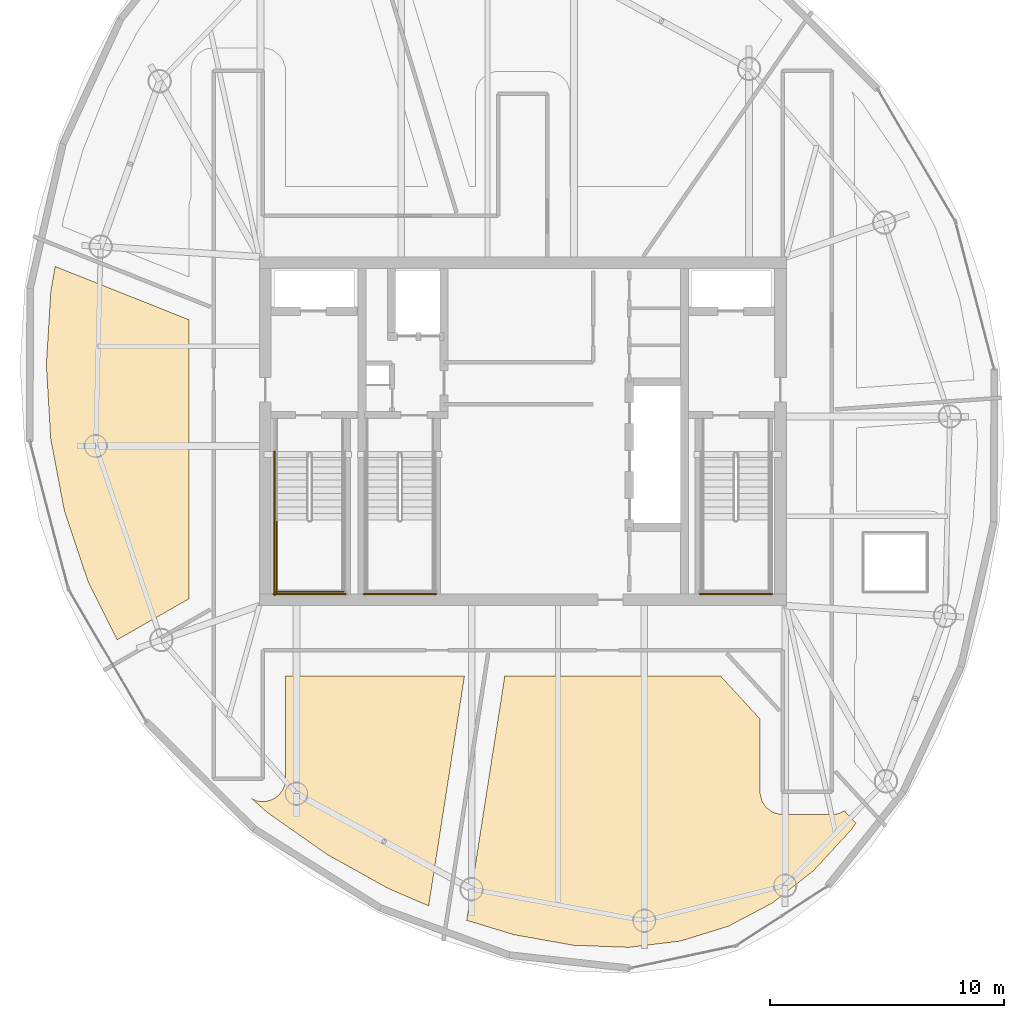
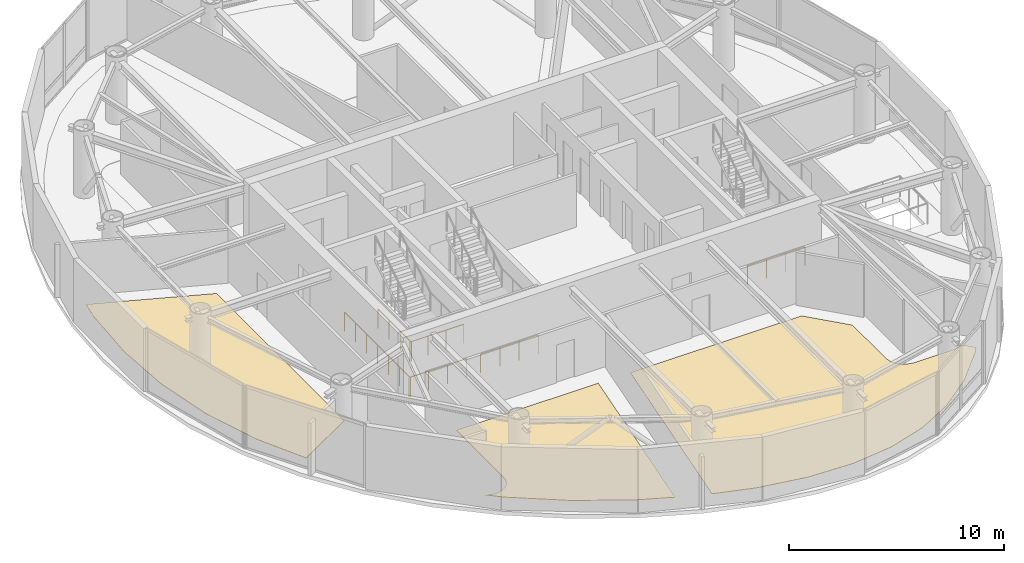
# One storey, part 18 of 20: 6 railings, 3 coverings.
"""IFC4 building model written with IfcOpenShell, lengths in metres."""

from ifc_helpers import new_model, si_unit, direction, frame, origin, origin_2d, place, context, subcontext, project, spatial, polyline, circle, outline, extrude, material, layer, layer_set, type_object, element, save


model = new_model("IFC4")

# Units and contexts
model_context = context("Model", 3, precision=1e-05, world=origin(), true_north=direction((0.0, 1.0)))
body_context = subcontext(model_context, "Body", "Model", "MODEL_VIEW")
ifc_project = project(units=[si_unit("LENGTHUNIT", "METRE"), si_unit("AREAUNIT", "SQUARE_METRE"), si_unit("VOLUMEUNIT", "CUBIC_METRE"), si_unit("PLANEANGLEUNIT", "RADIAN"), si_unit("MASSUNIT", "GRAM", prefix="KILO")], contexts=[model_context])

# Site, building, storey
site_placement = place(None, origin())
site = spatial("IfcSite", under=ifc_project, at=site_placement, CompositionType="ELEMENT")
building_placement = place(site_placement, origin())
building = spatial("IfcBuilding", under=site, at=building_placement, Name="Bramvorn Convention Spire", CompositionType="ELEMENT")
storey_placement = place(building_placement, frame((0.0, 0.0, 303.64990234375)))
storey = spatial("IfcBuildingStorey", under=building, at=storey_placement, Name="L77", CompositionType="ELEMENT", Elevation=303.64990234375)

# Coverings
ifc_material_1 = material(Name="Honed Dolomitic Limestone Terrazzo Flooring", Category="masonry")
ifc_layer = layer(ifc_material_1, 0.02490234375)
ifc_layer_set = layer_set([ifc_layer], Name="Honed Dolomitic Limestone Terrazzo Flooring - FLR-TERRAZZO-25")
covering_type = type_object("IfcCoveringType", Name="FLR-TERRAZZO-25", PredefinedType="FLOORING", material=ifc_layer_set)
covering_1_placement = place(storey_placement, origin())
element("IfcCovering", 1, at=covering_1_placement, inside=storey, type_object=covering_type, Name="L77 Exhibition Main Kitchen 4 raised floor finish", PredefinedType="FLOORING", context=body_context, shape_type="SweptSolid", body=[
    extrude(outline(polyline([(20.681396484375, 17.094482421875), (23.75, 18.845947265625), (23.75, 30.760009765625), (18.03173828125, 33.037109375), (17.848876953125, 31.984130859375), (17.656494140625, 28.831787109375), (17.84326171875, 25.6728515625), (18.43310546875, 22.572998046875), (19.435302734375, 19.5908203125), (20.681396484375, 17.094482421875)])), origin(), (0.0, 0.0, 1.0), 0.025146484375),
])
covering_2_placement = place(storey_placement, origin())
element("IfcCovering", 2, at=covering_2_placement, inside=storey, type_object=covering_type, Name="L77 Sommelier Wine Cellar Store 5 raised floor finish", PredefinedType="FLOORING", context=body_context, shape_type="SweptSolid", body=[
    extrude(outline(polyline([(27.09423828125, 9.718505859375), (29.649169921875, 7.926513671875), (32.308349609375, 6.449951171875), (33.98193359375, 5.7353515625), (35.51123046875, 15.550048828125), (27.8701171875, 15.550048828125), (27.8701171875, 11.156494140625), (27.83837890625, 10.91162109375), (27.771240234375, 10.73046875), (27.614990234375, 10.50146484375), (27.46142578125, 10.36572265625), (27.293701171875, 10.270263671875), (27.026611328125, 10.195068359375), (26.833740234375, 10.18896484375), (26.6318359375, 10.224609375), (26.41455078125, 10.318115234375), (27.09423828125, 9.718505859375)])), origin(), (0.0, 0.0, 1.0), 0.025146484375),
])
covering_3_placement = place(storey_placement, origin())
element("IfcCovering", 3, at=covering_3_placement, inside=storey, type_object=covering_type, Name="L77 Private Event Meeting Suite 6 raised floor finish", PredefinedType="FLOORING", context=body_context, shape_type="SweptSolid", body=[
    extrude(outline(polyline([(37.62548828125, 4.50244140625), (40.15185546875, 4.052978515625), (42.529052734375, 3.962158203125), (44.73681640625, 4.231689453125), (46.776611328125, 4.86328125), (48.663818359375, 5.862548828125), (50.413330078125, 7.236083984375), (52.02685546875, 8.98388671875), (52.220703125, 9.262939453125), (51.73486328125, 9.7919921875), (51.521240234375, 9.684814453125), (51.25341796875, 9.631591796875), (49.058349609375, 9.631103515625), (48.690673828125, 9.720703125), (48.38525390625, 9.9443359375), (48.220703125, 10.190673828125), (48.131591796875, 10.54638671875), (48.1298828125, 13.71630859375), (46.4453125, 15.550048828125), (37.231689453125, 15.550048828125), (35.606201171875, 5.1171875), (37.62548828125, 4.50244140625)])), origin(), (0.0, 0.0, 1.0), 0.025146484375),
])

# Railings
ifc_material_2 = material(Name="Painted Steel Balustrade & Guardrail", Category="steel")
railing_type = type_object("IfcRailingType", Name="RL-STAIR-GUARD-1100", PredefinedType="GUARDRAIL", material=ifc_material_2)
railing_1_placement = place(storey_placement, frame((27.5, 22.199951171875, 1.925048828125)))
element("IfcRailing", 4, at=railing_1_placement, inside=storey, type_object=railing_type, Name="L77 ST1 stair guard 3", PredefinedType="GUARDRAIL", context=body_context, shape_type="SweptSolid", body=[
    extrude(circle(Radius=0.02392578125, at=origin_2d()), frame((0.0, 0.0, 1.076171875), z_axis=(0.0, -1.0, 0.0), x_axis=(1.0, 0.0, 0.0)), (0.0, 0.0, 1.0), 3.099853515625),
    extrude(circle(Radius=0.02099609375, at=origin_2d()), origin(), (0.0, 0.0, 1.0), 1.052001953125),
    extrude(circle(Radius=0.02099609375, at=origin_2d()), frame((0.0, -1.033203125, 0.0)), (0.0, 0.0, 1.0), 1.052001953125),
    extrude(circle(Radius=0.02099609375, at=origin_2d()), frame((0.0, -2.066650390625, 0.0)), (0.0, 0.0, 1.0), 1.052001953125),
    extrude(circle(Radius=0.02099609375, at=origin_2d()), frame((0.0, -3.099853515625, 0.0)), (0.0, 0.0, 1.0), 1.052001953125),
])
railing_2_placement = place(storey_placement, frame((27.449951171875, 19.14990234375, 1.925048828125)))
element("IfcRailing", 5, at=railing_2_placement, inside=storey, type_object=railing_type, Name="L77 ST1 stair guard 5", PredefinedType="GUARDRAIL", context=body_context, shape_type="SweptSolid", body=[
    extrude(circle(Radius=0.02392578125, at=origin_2d()), frame((0.0, 0.0, 1.076171875), z_axis=(1.0, 0.0, 0.0), x_axis=(0.0, 1.0, 0.0)), (0.0, 0.0, 1.0), 2.900146484375),
    extrude(circle(Radius=0.02099609375, at=origin_2d()), origin(), (0.0, 0.0, 1.0), 1.052001953125),
    extrude(circle(Radius=0.02099609375, at=origin_2d()), frame((0.966796875, 0.0, 0.0)), (0.0, 0.0, 1.0), 1.052001953125),
    extrude(circle(Radius=0.02099609375, at=origin_2d()), frame((1.933349609375, 0.0, 0.0)), (0.0, 0.0, 1.0), 1.052001953125),
    extrude(circle(Radius=0.02099609375, at=origin_2d()), frame((2.900146484375, 0.0, 0.0)), (0.0, 0.0, 1.0), 1.052001953125),
])
railing_3_placement = place(storey_placement, frame((27.39990234375, 25.14990234375, 0.0)))
element("IfcRailing", 6, at=railing_3_placement, inside=storey, type_object=railing_type, Name="L77 ST1 stair guard 10", PredefinedType="GUARDRAIL", context=body_context, shape_type="SweptSolid", body=[
    extrude(circle(Radius=0.02392578125, at=origin_2d()), frame((0.0, 0.0, 1.076171875), z_axis=(0.0, -1.0, 0.0), x_axis=(1.0, 0.0, 0.0)), (0.0, 0.0, 1.0), 6.14990234375),
    extrude(circle(Radius=0.02099609375, at=origin_2d()), origin(), (0.0, 0.0, 1.0), 1.052001953125),
    extrude(circle(Radius=0.02099609375, at=origin_2d()), frame((0.0, -1.02490234375, 0.0)), (0.0, 0.0, 1.0), 1.052001953125),
    extrude(circle(Radius=0.02099609375, at=origin_2d()), frame((0.0, -2.050048828125, 0.0)), (0.0, 0.0, 1.0), 1.052001953125),
    extrude(circle(Radius=0.02099609375, at=origin_2d()), frame((0.0, -3.074951171875, 0.0)), (0.0, 0.0, 1.0), 1.052001953125),
    extrude(circle(Radius=0.02099609375, at=origin_2d()), frame((0.0, -4.099853515625, 0.0)), (0.0, 0.0, 1.0), 1.052001953125),
    extrude(circle(Radius=0.02099609375, at=origin_2d()), frame((0.0, -5.125, 0.0)), (0.0, 0.0, 1.0), 1.052001953125),
    extrude(circle(Radius=0.02099609375, at=origin_2d()), frame((0.0, -6.14990234375, 0.0)), (0.0, 0.0, 1.0), 1.052001953125),
])
for number, where, name in (
    (7, (27.35009765625, 19.050048828125, 0.0), "L77 ST1 stair guard 12"),
    (8, (45.550048828125, 19.050048828125, 0.0), "L77 ST2 stair guard 12"),
):
    element("IfcRailing", number, at=place(storey_placement, frame(where)), inside=storey, type_object=railing_type, Name=name, PredefinedType="GUARDRAIL", context=body_context, shape_type="SweptSolid", body=[
        extrude(circle(Radius=0.02392578125, at=origin_2d()), frame((0.0, 0.0, 1.076171875), z_axis=(1.0, 0.0, 0.0), x_axis=(0.0, 1.0, 0.0)), (0.0, 0.0, 1.0), 3.099853515625),
        extrude(circle(Radius=0.02099609375, at=origin_2d()), origin(), (0.0, 0.0, 1.0), 1.052001953125),
        extrude(circle(Radius=0.02099609375, at=origin_2d()), frame((1.033203125, 0.0, 0.0)), (0.0, 0.0, 1.0), 1.052001953125),
        extrude(circle(Radius=0.02099609375, at=origin_2d()), frame((2.066650390625, 0.0, 0.0)), (0.0, 0.0, 1.0), 1.052001953125),
        extrude(circle(Radius=0.02099609375, at=origin_2d()), frame((3.099853515625, 0.0, 0.0)), (0.0, 0.0, 1.0), 1.052001953125),
    ])
railing_4_placement = place(storey_placement, frame((31.199951171875, 19.050048828125, 0.0)))
element("IfcRailing", 9, at=railing_4_placement, inside=storey, type_object=railing_type, Name="L77 ST3 stair guard 12", PredefinedType="GUARDRAIL", context=body_context, shape_type="SweptSolid", body=[
    extrude(circle(Radius=0.02392578125, at=origin_2d()), frame((0.0, 0.0, 1.076171875), z_axis=(1.0, 0.0, 0.0), x_axis=(0.0, 1.0, 0.0)), (0.0, 0.0, 1.0), 3.10009765625),
    extrude(circle(Radius=0.02099609375, at=origin_2d()), origin(), (0.0, 0.0, 1.0), 1.052001953125),
    extrude(circle(Radius=0.02099609375, at=origin_2d()), frame((1.033447265625, 0.0, 0.0)), (0.0, 0.0, 1.0), 1.052001953125),
    extrude(circle(Radius=0.02099609375, at=origin_2d()), frame((2.066650390625, 0.0, 0.0)), (0.0, 0.0, 1.0), 1.052001953125),
    extrude(circle(Radius=0.02099609375, at=origin_2d()), frame((3.10009765625, 0.0, 0.0)), (0.0, 0.0, 1.0), 1.052001953125),
])

save(model, "model.ifc")
